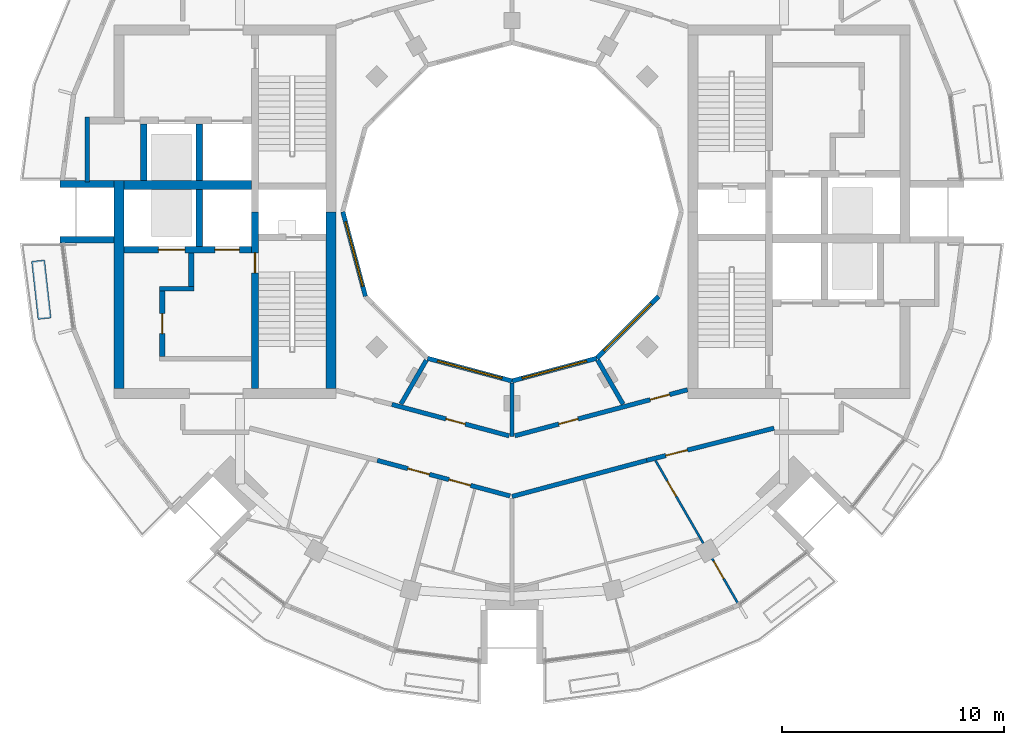
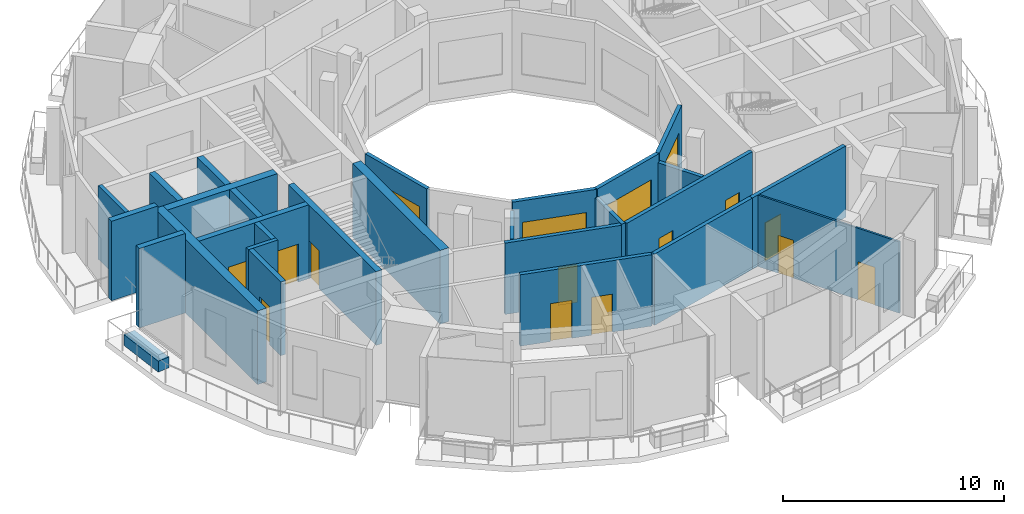
# One storey, part 8 of 15: 28 walls, 12 doors, 4 windows, 16 openings.
"""IFC4 building model written with IfcOpenShell, lengths in metres."""

from ifc_helpers import new_model, si_unit, direction, frame, frame_2d, origin, place, context, subcontext, project, spatial, rectangle, extrude, material, layer, layer_set, type_object, element, fill, save


model = new_model("IFC4")

# Units and contexts
model_context = context("Model", 3, precision=1e-05, world=origin(), true_north=direction((0.0, 1.0)))
body_context = subcontext(model_context, "Body", "Model", "MODEL_VIEW")
ifc_project = project(units=[si_unit("LENGTHUNIT", "METRE"), si_unit("AREAUNIT", "SQUARE_METRE"), si_unit("VOLUMEUNIT", "CUBIC_METRE"), si_unit("PLANEANGLEUNIT", "RADIAN"), si_unit("MASSUNIT", "GRAM", prefix="KILO")], contexts=[model_context])

# Site, building, storey
site_placement = place(None, origin())
site = spatial("IfcSite", under=ifc_project, at=site_placement, CompositionType="ELEMENT")
building_placement = place(site_placement, origin())
building = spatial("IfcBuilding", under=site, at=building_placement, Name="Torre Brocal", CompositionType="ELEMENT")
storey_placement = place(building_placement, frame((0.0, 0.0, 314.89990234375)))
storey = spatial("IfcBuildingStorey", under=building, at=storey_placement, Name="L72", CompositionType="ELEMENT", Elevation=314.89990234375)

# Walls
ifc_material_1 = material(Name="Masonry block", Category="masonry")
ifc_layer_1 = layer(ifc_material_1, 0.199951171875)
ifc_layer_set_1 = layer_set([ifc_layer_1], Name="Masonry block")
wall_type_1 = type_object("IfcWallType", Name="CORE PARTITION 200", PredefinedType="PARTITIONING", material=ifc_layer_set_1)
wall_1_placement = place(storey_placement, frame((60.89990234375, 79.25, 0.0), z_axis=(0.0, 0.0, 1.0), x_axis=(0.0, -1.0, 0.0)))
element("IfcWall", 1, at=wall_1_placement, inside=storey, type_object=wall_type_1, Name="Wall CP200", PredefinedType="PARTITIONING", context=body_context, shape_type="SweptSolid", body=[
    extrude(rectangle(XDim=2.89990234375, YDim=0.199951171875, at=frame_2d((1.449951171875, 0.0))), origin(), (0.0, 0.0, 1.0), 4.080078125),
])
ifc_material_2 = material(Name="Concrete C50", Category="concrete")
ifc_layer_2 = layer(ifc_material_2, 0.199951171875)
ifc_layer_set_2 = layer_set([ifc_layer_2], Name="Concrete C50")
wall_type_2 = type_object("IfcWallType", Name="CORE WALL 200 C50", PredefinedType="SHEAR", material=ifc_layer_set_2)
wall_2_placement = place(storey_placement, frame((65.699951171875, 71.550048828125, 0.0), z_axis=(0.0, 0.0, 1.0), x_axis=(-1.0, 0.0, 0.0)))
element("IfcWall", 2, at=wall_2_placement, inside=storey, type_object=wall_type_2, Name="Wall CW200-50", PredefinedType="SHEAR", context=body_context, shape_type="SweptSolid", body=[
    extrude(rectangle(XDim=1.550048828125, YDim=0.199951171875, at=frame_2d((0.77490234375, 0.0))), origin(), (0.0, 0.0, 1.0), 4.080078125),
])

# Wall, opening, door
ifc_material_3 = material(Name="Concrete C50", Category="concrete")
ifc_layer_3 = layer(ifc_material_3, 0.25)
ifc_layer_set_3 = layer_set([ifc_layer_3], Name="Concrete C50")
wall_type_3 = type_object("IfcWallType", Name="CORE WALL 250 C50", PredefinedType="SHEAR", material=ifc_layer_set_3)
wall_3_placement = place(storey_placement, frame((64.27490234375, 71.449951171875, 0.0), z_axis=(0.0, 0.0, 1.0), x_axis=(0.0, -1.0, 0.0)))
wall_3 = element("IfcWall", 3, at=wall_3_placement, inside=storey, type_object=wall_type_3, Name="Wall CW250-50", PredefinedType="SHEAR", context=body_context, shape_type="SweptSolid", body=[
    extrude(rectangle(XDim=2.949951171875, YDim=0.25, at=frame_2d((1.47509765625, 0.0))), origin(), (0.0, 0.0, 1.0), 4.080078125),
])
opening_1_placement = place(wall_3_placement, frame((1.02490234375, 0.0, 0.0)))
opening_1 = element("IfcOpeningElement", 4, at=opening_1_placement, cuts=wall_3, Name="Opening W-D19", PredefinedType="OPENING", context=body_context, shape_type="SweptSolid", body=[
    extrude(rectangle(XDim=0.89990234375, YDim=2.10009765625, at=frame_2d((0.449951171875, 1.050048828125))), frame((0.0, 0.135009765625, 0.0), z_axis=(0.0, -1.0, 0.0), x_axis=(1.0, 0.0, 0.0)), (0.0, 0.0, 1.0), 0.27001953125),
])
ifc_material_4 = material(Name="Steel A653", Category="steel")
door_type_1 = type_object("IfcDoorType", Name="LOBBY DOOR FD120 900X2100", OperationType="SINGLE_SWING_RIGHT", PredefinedType="DOOR", material=ifc_material_4)
door_1_placement = place(opening_1_placement, origin())
door_1 = element("IfcDoor", 5, at=door_1_placement, inside=storey, type_object=door_type_1, Name="Door W-D19", OperationType="SINGLE_SWING_LEFT", OverallHeight=2.10009765625, OverallWidth=0.89990234375, PredefinedType="DOOR", context=body_context, shape_type="SweptSolid", body=[
    extrude(rectangle(XDim=0.89990234375, YDim=2.10009765625, at=frame_2d((0.449951171875, 1.050048828125))), frame((0.0, 0.02490234375, 0.0), z_axis=(0.0, -1.0, 0.0), x_axis=(1.0, 0.0, 0.0)), (0.0, 0.0, 1.0), 0.050048828125),
])
fill(opening_1, door_1)

# Wall
wall_4_placement = place(storey_placement, frame((65.574951171875, 73.14990234375, 0.0), z_axis=(0.0, 0.0, 1.0), x_axis=(0.0, -1.0, 0.0)))
element("IfcWall", 6, at=wall_4_placement, inside=storey, type_object=wall_type_3, Name="Wall CW250-50", PredefinedType="SHEAR", context=body_context, shape_type="SweptSolid", body=[
    extrude(rectangle(XDim=1.5, YDim=0.25, at=frame_2d((0.75, 0.0))), origin(), (0.0, 0.0, 1.0), 4.080078125),
])

# Wall, opening, door
ifc_material_5 = material(Name="Concrete C50", Category="concrete")
ifc_layer_4 = layer(ifc_material_5, 0.300048828125)
ifc_layer_set_4 = layer_set([ifc_layer_4], Name="Concrete C50")
wall_type_4 = type_object("IfcWallType", Name="CORE WALL 300 C50", PredefinedType="SHEAR", material=ifc_layer_set_4)
wall_5_placement = place(storey_placement, frame((68.449951171875, 75.0, 0.0), z_axis=(0.0, 0.0, 1.0), x_axis=(0.0, -1.0, 0.0)))
wall_5 = element("IfcWall", 7, at=wall_5_placement, inside=storey, type_object=wall_type_4, Name="Wall CW300-50", PredefinedType="SHEAR", context=body_context, shape_type="SweptSolid", body=[
    extrude(rectangle(XDim=7.949951171875, YDim=0.300048828125, at=frame_2d((3.97509765625, 0.0))), origin(), (0.0, 0.0, 1.0), 4.080078125),
])
opening_2_placement = place(wall_5_placement, frame((1.85009765625, 0.0, 0.0)))
opening_2 = element("IfcOpeningElement", 8, at=opening_2_placement, cuts=wall_5, Name="Opening W-D02", PredefinedType="OPENING", context=body_context, shape_type="SweptSolid", body=[
    extrude(rectangle(XDim=0.89990234375, YDim=2.10009765625, at=frame_2d((0.449951171875, 1.050048828125))), frame((0.0, 0.159912109375, 0.0), z_axis=(0.0, -1.0, 0.0), x_axis=(1.0, 0.0, 0.0)), (0.0, 0.0, 1.0), 0.320068359375),
])
ifc_material_6 = material(Name="Steel A653", Category="steel")
door_type_2 = type_object("IfcDoorType", Name="STAIR DOOR FD120 900X2100", OperationType="SINGLE_SWING_RIGHT", PredefinedType="DOOR", material=ifc_material_6)
door_2_placement = place(opening_2_placement, origin())
door_2 = element("IfcDoor", 9, at=door_2_placement, inside=storey, type_object=door_type_2, Name="Door W-D02", OperationType="SINGLE_SWING_LEFT", OverallHeight=2.10009765625, OverallWidth=0.89990234375, PredefinedType="DOOR", context=body_context, shape_type="SweptSolid", body=[
    extrude(rectangle(XDim=0.89990234375, YDim=2.10009765625, at=frame_2d((0.449951171875, 1.050048828125))), frame((0.0, 0.02490234375, 0.0), z_axis=(0.0, -1.0, 0.0), x_axis=(1.0, 0.0, 0.0)), (0.0, 0.0, 1.0), 0.050048828125),
])
fill(opening_2, door_2)

# Wall, openings, doors
wall_6_placement = place(storey_placement, frame((68.300048828125, 73.300048828125, 0.0), z_axis=(0.0, 0.0, 1.0), x_axis=(-1.0, 0.0, 0.0)))
wall_6 = element("IfcWall", 10, at=wall_6_placement, inside=storey, type_object=wall_type_4, Name="Wall CW300-50", PredefinedType="SHEAR", context=body_context, shape_type="SweptSolid", body=[
    extrude(rectangle(XDim=5.75, YDim=0.300048828125, at=frame_2d((2.875, 0.0))), origin(), (0.0, 0.0, 1.0), 4.080078125),
])
opening_3_placement = place(wall_6_placement, frame((0.550048828125, 0.0, 0.0)))
opening_3 = element("IfcOpeningElement", 11, at=opening_3_placement, cuts=wall_6, Name="Opening LD", PredefinedType="OPENING", context=body_context, shape_type="SweptSolid", body=[
    extrude(rectangle(XDim=1.10009765625, YDim=2.10009765625, at=frame_2d((0.550048828125, 1.050048828125))), frame((0.0, 0.159912109375, 0.0), z_axis=(0.0, -1.0, 0.0), x_axis=(1.0, 0.0, 0.0)), (0.0, 0.0, 1.0), 0.320068359375),
])
opening_4_placement = place(wall_6_placement, frame((3.0, 0.0, 0.0)))
opening_4 = element("IfcOpeningElement", 12, at=opening_4_placement, cuts=wall_6, Name="Opening LD12", PredefinedType="OPENING", context=body_context, shape_type="SweptSolid", body=[
    extrude(rectangle(XDim=1.199951171875, YDim=2.10009765625, at=frame_2d((0.60009765625, 1.050048828125))), frame((0.0, 0.159912109375, 0.0), z_axis=(0.0, -1.0, 0.0), x_axis=(1.0, 0.0, 0.0)), (0.0, 0.0, 1.0), 0.320068359375),
])
ifc_material_7 = material(Name="Stainless steel AISI 316", Category="steel")
door_type_3 = type_object("IfcDoorType", Name="LIFT LANDING DOOR 1100X2100", OperationType="DOUBLE_DOOR_SLIDING", PredefinedType="DOOR", material=ifc_material_7)
door_3_placement = place(opening_3_placement, origin())
door_3 = element("IfcDoor", 13, at=door_3_placement, inside=storey, type_object=door_type_3, Name="Door LD", OperationType="DOUBLE_DOOR_SLIDING", OverallHeight=2.10009765625, OverallWidth=1.10009765625, PredefinedType="DOOR", context=body_context, shape_type="SweptSolid", body=[
    extrude(rectangle(XDim=1.10009765625, YDim=2.10009765625, at=frame_2d((0.550048828125, 1.050048828125))), frame((0.0, 0.02490234375, 0.0), z_axis=(0.0, -1.0, 0.0), x_axis=(1.0, 0.0, 0.0)), (0.0, 0.0, 1.0), 0.050048828125),
])
fill(opening_3, door_3)
ifc_material_8 = material(Name="Stainless steel AISI 316", Category="steel")
door_type_4 = type_object("IfcDoorType", Name="LIFT LANDING DOOR 1200X2100", OperationType="DOUBLE_DOOR_SLIDING", PredefinedType="DOOR", material=ifc_material_8)
door_4_placement = place(opening_4_placement, origin())
door_4 = element("IfcDoor", 14, at=door_4_placement, inside=storey, type_object=door_type_4, Name="Door LD12", OperationType="DOUBLE_DOOR_SLIDING", OverallHeight=2.10009765625, OverallWidth=1.199951171875, PredefinedType="DOOR", context=body_context, shape_type="SweptSolid", body=[
    extrude(rectangle(XDim=1.199951171875, YDim=2.10009765625, at=frame_2d((0.60009765625, 1.050048828125))), frame((0.0, 0.02490234375, 0.0), z_axis=(0.0, -1.0, 0.0), x_axis=(1.0, 0.0, 0.0)), (0.0, 0.0, 1.0), 0.050048828125),
])
fill(opening_4, door_4)

# Walls
for number, where, z_axis, x_axis, name in (
    (15, (65.949951171875, 76.0, 0.0), (0.0, 0.0, 1.0), (0.0, -1.0, 0.0), "Wall CW300-50"),
    (16, (65.949951171875, 78.949951171875, 0.0), (0.0, 0.0, 1.0), (0.0, -1.0, 0.0), "Wall CW300-50"),
    (17, (63.449951171875, 78.949951171875, 0.0), (0.0, 0.0, 1.0), (0.0, -1.0, 0.0), "Wall CW300-50"),
):
    element("IfcWall", number, at=place(storey_placement, frame(where, z_axis=z_axis, x_axis=x_axis)), inside=storey, type_object=wall_type_4, Name=name, PredefinedType="SHEAR", context=body_context, shape_type="SweptSolid", body=[
        extrude(rectangle(XDim=2.550048828125, YDim=0.300048828125, at=frame_2d((1.27490234375, 0.0))), origin(), (0.0, 0.0, 1.0), 4.080078125),
    ])
ifc_material_9 = material(Name="Concrete C50", Category="concrete")
ifc_layer_5 = layer(ifc_material_9, 0.39990234375)
ifc_layer_set_5 = layer_set([ifc_layer_5], Name="Concrete C50")
wall_type_5 = type_object("IfcWallType", Name="CORE WALL 400 C50", PredefinedType="SHEAR", material=ifc_layer_set_5)
wall_7_placement = place(storey_placement, frame((68.300048828125, 76.199951171875, 0.0), z_axis=(0.0, 0.0, 1.0), x_axis=(-1.0, 0.0, 0.0)))
element("IfcWall", 18, at=wall_7_placement, inside=storey, type_object=wall_type_5, Name="Wall CW400-50", PredefinedType="SHEAR", context=body_context, shape_type="SweptSolid", body=[
    extrude(rectangle(XDim=5.75, YDim=0.39990234375, at=frame_2d((2.875, 0.0))), origin(), (0.0, 0.0, 1.0), 4.080078125),
])
ifc_material_10 = material(Name="Concrete C50", Category="concrete")
ifc_layer_6 = layer(ifc_material_10, 0.449951171875)
ifc_layer_set_6 = layer_set([ifc_layer_6], Name="Concrete C50")
wall_type_6 = type_object("IfcWallType", Name="CORE WALL 450 C50", PredefinedType="SHEAR", material=ifc_layer_set_6)
wall_8_placement = place(storey_placement, frame((71.875, 75.0, 0.0), z_axis=(0.0, 0.0, 1.0), x_axis=(0.0, -1.0, 0.0)))
element("IfcWall", 19, at=wall_8_placement, inside=storey, type_object=wall_type_6, Name="Wall CW450-50", PredefinedType="SHEAR", context=body_context, shape_type="SweptSolid", body=[
    extrude(rectangle(XDim=7.949951171875, YDim=0.449951171875, at=frame_2d((3.97509765625, 0.0))), origin(), (0.0, 0.0, 1.0), 4.080078125),
])
wall_9_placement = place(storey_placement, frame((62.324951171875, 76.39990234375, 0.0), z_axis=(0.0, 0.0, 1.0), x_axis=(0.0, -1.0, 0.0)))
element("IfcWall", 20, at=wall_9_placement, inside=storey, type_object=wall_type_6, Name="Wall CW450-50", PredefinedType="SHEAR", context=body_context, shape_type="SweptSolid", body=[
    extrude(rectangle(XDim=9.349853515625, YDim=0.449951171875, at=frame_2d((4.6748046875, 0.0))), origin(), (0.0, 0.0, 1.0), 4.080078125),
])
ifc_material_11 = material(Name="Concrete C50", Category="concrete")
ifc_layer_7 = layer(ifc_material_11, 0.300048828125)
ifc_layer_set_7 = layer_set([ifc_layer_7], Name="Concrete C50")
wall_type_7 = type_object("IfcWallType", Name="NOTCH RETURN WALL 300 C50", PredefinedType="NOTDEFINED", material=ifc_layer_set_7)
for number, where, z_axis, x_axis, name in (
    (21, (62.10009765625, 76.25, 0.0), (0.0, 0.0, 1.0), (-1.0, 0.0, 0.0), "NOTCH RETURN WALL"),
    (22, (62.10009765625, 73.75, 0.0), (0.0, 0.0, 1.0), (-1.0, 0.0, 0.0), "NOTCH RETURN WALL"),
):
    element("IfcWall", number, at=place(storey_placement, frame(where, z_axis=z_axis, x_axis=x_axis)), inside=storey, type_object=wall_type_7, Name=name, PredefinedType="NOTDEFINED", context=body_context, shape_type="SweptSolid", body=[
        extrude(rectangle(XDim=2.415771484375, YDim=0.300048828125, at=frame_2d((1.2080078125, 0.0))), origin(), (0.0, 0.0, 1.0), 4.400146484375),
    ])

# Wall, openings, doors
ifc_material_12 = material(Name="Gypsum board", Category="Gypsum")
ifc_layer_8 = layer(ifc_material_12, 0.10009765625)
ifc_layer_set_8 = layer_set([ifc_layer_8], Name="Gypsum board")
wall_type_8 = type_object("IfcWallType", Name="PARTITION 100", PredefinedType="PARTITIONING", material=ifc_layer_set_8)
wall_10_placement = place(storey_placement, frame((86.45263671875, 63.81689453125, 0.0), z_axis=(0.0, 0.0, 1.0), x_axis=(0.499822611913, -0.866127794624, 0.0)))
wall_10 = element("IfcWall", 23, at=wall_10_placement, inside=storey, type_object=wall_type_8, Name="BATHROOM WALL", PredefinedType="PARTITIONING", context=body_context, shape_type="SweptSolid", body=[
    extrude(rectangle(XDim=7.385498046875, YDim=0.10009765625, at=frame_2d((3.69287109375, 0.0))), origin(), (0.0, 0.0, 1.0), 3.9501953125),
])
opening_5_placement = place(wall_10_placement, frame((5.22021484375, 0.0, 0.0)))
opening_5 = element("IfcOpeningElement", 24, at=opening_5_placement, cuts=wall_10, Name="Opening N05-D19", PredefinedType="OPENING", context=body_context, shape_type="SweptSolid", body=[
    extrude(rectangle(XDim=0.89990234375, YDim=2.10009765625, at=frame_2d((0.449951171875, 1.050048828125))), frame((0.0, 0.06005859375, 0.0), z_axis=(0.0, -1.0, 0.0), x_axis=(1.0, 0.0, 0.0)), (0.0, 0.0, 1.0), 0.1201171875),
])
opening_6_placement = place(wall_10_placement, frame((1.049560546875, 0.0, 0.0)))
opening_6 = element("IfcOpeningElement", 25, at=opening_6_placement, cuts=wall_10, Name="Opening N05-D20", PredefinedType="OPENING", context=body_context, shape_type="SweptSolid", body=[
    extrude(rectangle(XDim=0.800048828125, YDim=2.10009765625, at=frame_2d((0.39990234375, 1.050048828125))), frame((0.0, 0.06005859375, 0.0), z_axis=(0.0, -1.0, 0.0), x_axis=(1.0, 0.0, 0.0)), (0.0, 0.0, 1.0), 0.1201171875),
])
ifc_material_13 = material(Name="Timber", Category="wood")
door_type_5 = type_object("IfcDoorType", Name="BATHROOM DOOR 800X2100", OperationType="SINGLE_SWING_LEFT", PredefinedType="DOOR", material=ifc_material_13)
door_5_placement = place(opening_6_placement, frame((0.800048828125, 0.0, 0.0), z_axis=(0.0, 0.0, 1.0), x_axis=(-1.0, 0.0, 0.0)))
door_5 = element("IfcDoor", 26, at=door_5_placement, inside=storey, type_object=door_type_5, Name="N05-D20", OperationType="SINGLE_SWING_RIGHT", OverallHeight=2.10009765625, OverallWidth=0.800048828125, PredefinedType="DOOR", context=body_context, shape_type="SweptSolid", body=[
    extrude(rectangle(XDim=0.800048828125, YDim=2.10009765625, at=frame_2d((0.39990234375, 1.050048828125))), frame((0.0, 0.02490234375, 0.0), z_axis=(0.0, -1.0, 0.0), x_axis=(1.0, 0.0, 0.0)), (0.0, 0.0, 1.0), 0.050048828125),
])
fill(opening_6, door_5)
ifc_material_14 = material(Name="Timber", Category="wood")
door_type_6 = type_object("IfcDoorType", Name="ROOM DOOR 900X2100", OperationType="SINGLE_SWING_LEFT", PredefinedType="DOOR", material=ifc_material_14)
door_6_placement = place(opening_5_placement, frame((0.89990234375, 0.0, 0.0), z_axis=(0.0, 0.0, 1.0), x_axis=(-1.0, 0.0, 0.0)))
door_6 = element("IfcDoor", 27, at=door_6_placement, inside=storey, type_object=door_type_6, Name="N05-D19", OperationType="SINGLE_SWING_RIGHT", OverallHeight=2.10009765625, OverallWidth=0.89990234375, PredefinedType="DOOR", context=body_context, shape_type="SweptSolid", body=[
    extrude(rectangle(XDim=0.89990234375, YDim=2.10009765625, at=frame_2d((0.449951171875, 1.050048828125))), frame((0.0, 0.02490234375, 0.0), z_axis=(0.0, -1.0, 0.0), x_axis=(1.0, 0.0, 0.0)), (0.0, 0.0, 1.0), 0.050048828125),
])
fill(opening_5, door_6)

ifc_material_15 = material(Name="Gypsum board", Category="Gypsum")
ifc_layer_9 = layer(ifc_material_15, 0.199951171875)
ifc_layer_set_9 = layer_set([ifc_layer_9], Name="Gypsum board")
wall_type_9 = type_object("IfcWallType", Name="PARTITION 200 EI60", PredefinedType="PARTITIONING", material=ifc_layer_set_9)
wall_11_placement = place(storey_placement, frame((73.947021484375, 63.826171875, 0.0), z_axis=(0.0, 0.0, 1.0), x_axis=(0.965894934009, -0.25893430915, 0.0)))
wall_11 = element("IfcWall", 28, at=wall_11_placement, inside=storey, type_object=wall_type_9, Name="FLAT ENTRANCE WALL", PredefinedType="PARTITIONING", context=body_context, shape_type="SweptSolid", body=[
    extrude(rectangle(XDim=6.1767578125, YDim=0.199951171875, at=frame_2d((3.08837890625, 0.0))), origin(), (0.0, 0.0, 1.0), 3.9501953125),
])
opening_7_placement = place(wall_11_placement, frame((3.336181640625, 0.0, 0.0)))
opening_7 = element("IfcOpeningElement", 29, at=opening_7_placement, cuts=wall_11, Name="Opening N05-D25", PredefinedType="OPENING", context=body_context, shape_type="SweptSolid", body=[
    extrude(rectangle(XDim=1.0, YDim=2.10009765625, at=frame_2d((0.5, 1.050048828125))), frame((0.0, 0.10986328125, 0.0), z_axis=(0.0, -1.0, 0.0), x_axis=(1.0, 0.0, 0.0)), (0.0, 0.0, 1.0), 0.219970703125),
])
opening_8_placement = place(wall_11_placement, frame((1.42431640625, 0.0, 0.0)))
opening_8 = element("IfcOpeningElement", 30, at=opening_8_placement, cuts=wall_11, Name="Opening N05-D27", PredefinedType="OPENING", context=body_context, shape_type="SweptSolid", body=[
    extrude(rectangle(XDim=1.0, YDim=2.10009765625, at=frame_2d((0.5, 1.050048828125))), frame((0.0, 0.10986328125, 0.0), z_axis=(0.0, -1.0, 0.0), x_axis=(1.0, 0.0, 0.0)), (0.0, 0.0, 1.0), 0.219970703125),
])
ifc_material_16 = material(Name="Timber", Category="wood")
door_type_7 = type_object("IfcDoorType", Name="FLAT ENTRY DOOR FD30S 1000X2100", OperationType="SINGLE_SWING_RIGHT", PredefinedType="DOOR", material=ifc_material_16)
door_7_placement = place(opening_7_placement, frame((1.0, 0.0, 0.0), z_axis=(0.0, 0.0, 1.0), x_axis=(-1.0, 0.0, 0.0)))
door_7 = element("IfcDoor", 31, at=door_7_placement, inside=storey, type_object=door_type_7, Name="N05-D25", OperationType="SINGLE_SWING_LEFT", OverallHeight=2.10009765625, OverallWidth=1.0, PredefinedType="DOOR", context=body_context, shape_type="SweptSolid", body=[
    extrude(rectangle(XDim=1.0, YDim=2.10009765625, at=frame_2d((0.5, 1.050048828125))), frame((0.0, 0.02490234375, 0.0), z_axis=(0.0, -1.0, 0.0), x_axis=(1.0, 0.0, 0.0)), (0.0, 0.0, 1.0), 0.050048828125),
])
fill(opening_7, door_7)
door_8_placement = place(opening_8_placement, frame((1.0, 0.0, 0.0), z_axis=(0.0, 0.0, 1.0), x_axis=(-1.0, 0.0, 0.0)))
door_8 = element("IfcDoor", 32, at=door_8_placement, inside=storey, type_object=door_type_7, Name="N05-D27", OperationType="SINGLE_SWING_LEFT", OverallHeight=2.10009765625, OverallWidth=1.0, PredefinedType="DOOR", context=body_context, shape_type="SweptSolid", body=[
    extrude(rectangle(XDim=1.0, YDim=2.10009765625, at=frame_2d((0.5, 1.050048828125))), frame((0.0, 0.02490234375, 0.0), z_axis=(0.0, -1.0, 0.0), x_axis=(1.0, 0.0, 0.0)), (0.0, 0.0, 1.0), 0.050048828125),
])
fill(opening_8, door_8)

# Wall, opening, door
wall_12_placement = place(storey_placement, frame((74.60302734375, 66.342041015625, 0.0), z_axis=(0.0, 0.0, 1.0), x_axis=(0.965920893652, -0.258837453254, 0.0)))
wall_12 = element("IfcWall", 33, at=wall_12_placement, inside=storey, type_object=wall_type_9, Name="CORRIDOR WALL", PredefinedType="PARTITIONING", context=body_context, shape_type="SweptSolid", body=[
    extrude(rectangle(XDim=5.45751953125, YDim=0.199951171875, at=frame_2d((2.728759765625, 0.0))), origin(), (0.0, 0.0, 1.0), 3.9501953125),
])
opening_9_placement = place(wall_12_placement, frame((2.512451171875, 0.0, 0.0)))
opening_9 = element("IfcOpeningElement", 34, at=opening_9_placement, cuts=wall_12, Name="Opening N05-D33", PredefinedType="OPENING", context=body_context, shape_type="SweptSolid", body=[
    extrude(rectangle(XDim=0.89990234375, YDim=2.10009765625, at=frame_2d((0.449951171875, 1.050048828125))), frame((0.0, 0.10986328125, 0.0), z_axis=(0.0, -1.0, 0.0), x_axis=(1.0, 0.0, 0.0)), (0.0, 0.0, 1.0), 0.219970703125),
])
door_9_placement = place(opening_9_placement, origin())
door_9 = element("IfcDoor", 35, at=door_9_placement, inside=storey, type_object=door_type_6, Name="N05-D33", OperationType="SINGLE_SWING_LEFT", OverallHeight=2.10009765625, OverallWidth=0.89990234375, PredefinedType="DOOR", context=body_context, shape_type="SweptSolid", body=[
    extrude(rectangle(XDim=0.89990234375, YDim=2.10009765625, at=frame_2d((0.449951171875, 1.050048828125))), frame((0.0, 0.02490234375, 0.0), z_axis=(0.0, -1.0, 0.0), x_axis=(1.0, 0.0, 0.0)), (0.0, 0.0, 1.0), 0.050048828125),
])
fill(opening_9, door_9)

# Wall
wall_13_placement = place(storey_placement, frame((75.011962890625, 66.36328125, 0.0), z_axis=(0.0, 0.0, 1.0), x_axis=(0.500143511652, 0.865942531438, 0.0)))
element("IfcWall", 36, at=wall_13_placement, inside=storey, type_object=wall_type_9, Name="PARTY PARTITION", PredefinedType="PARTITIONING", context=body_context, shape_type="SweptSolid", body=[
    extrude(rectangle(XDim=2.275146484375, YDim=0.199951171875, at=frame_2d((1.1376953125, 0.0))), origin(), (0.0, 0.0, 1.0), 3.9501953125),
])

# Wall, openings, doors
wall_14_placement = place(storey_placement, frame((80.125, 64.931640625, 0.0), z_axis=(0.0, 0.0, 1.0), x_axis=(0.966236955806, 0.257655089674, 0.0)))
wall_14 = element("IfcWall", 37, at=wall_14_placement, inside=storey, type_object=wall_type_9, Name="CORRIDOR WALL", PredefinedType="PARTITIONING", context=body_context, shape_type="SweptSolid", body=[
    extrude(rectangle(XDim=8.0390625, YDim=0.199951171875, at=frame_2d((4.01953125, 0.0))), origin(), (0.0, 0.0, 1.0), 3.9501953125),
])
opening_10_placement = place(wall_14_placement, frame((6.298095703125, 0.0, 0.0)))
opening_10 = element("IfcOpeningElement", 38, at=opening_10_placement, cuts=wall_14, Name="Opening N05-D31", PredefinedType="OPENING", context=body_context, shape_type="SweptSolid", body=[
    extrude(rectangle(XDim=0.89990234375, YDim=2.10009765625, at=frame_2d((0.449951171875, 1.050048828125))), frame((0.0, 0.10986328125, 0.0), z_axis=(0.0, -1.0, 0.0), x_axis=(1.0, 0.0, 0.0)), (0.0, 0.0, 1.0), 0.219970703125),
])
opening_11_placement = place(wall_14_placement, frame((2.044921875, 0.0, 0.0)))
opening_11 = element("IfcOpeningElement", 39, at=opening_11_placement, cuts=wall_14, Name="Opening N05-D32", PredefinedType="OPENING", context=body_context, shape_type="SweptSolid", body=[
    extrude(rectangle(XDim=0.89990234375, YDim=2.10009765625, at=frame_2d((0.449951171875, 1.050048828125))), frame((0.0, 0.10986328125, 0.0), z_axis=(0.0, -1.0, 0.0), x_axis=(1.0, 0.0, 0.0)), (0.0, 0.0, 1.0), 0.219970703125),
])
door_10_placement = place(opening_10_placement, origin())
door_10 = element("IfcDoor", 40, at=door_10_placement, inside=storey, type_object=door_type_6, Name="N05-D31", OperationType="SINGLE_SWING_RIGHT", OverallHeight=2.10009765625, OverallWidth=0.89990234375, PredefinedType="DOOR", context=body_context, shape_type="SweptSolid", body=[
    extrude(rectangle(XDim=0.89990234375, YDim=2.10009765625, at=frame_2d((0.449951171875, 1.050048828125))), frame((0.0, 0.02490234375, 0.0), z_axis=(0.0, -1.0, 0.0), x_axis=(1.0, 0.0, 0.0)), (0.0, 0.0, 1.0), 0.050048828125),
])
fill(opening_10, door_10)
door_11_placement = place(opening_11_placement, origin())
door_11 = element("IfcDoor", 41, at=door_11_placement, inside=storey, type_object=door_type_6, Name="N05-D32", OperationType="SINGLE_SWING_RIGHT", OverallHeight=2.10009765625, OverallWidth=0.89990234375, PredefinedType="DOOR", context=body_context, shape_type="SweptSolid", body=[
    extrude(rectangle(XDim=0.89990234375, YDim=2.10009765625, at=frame_2d((0.449951171875, 1.050048828125))), frame((0.0, 0.02490234375, 0.0), z_axis=(0.0, -1.0, 0.0), x_axis=(1.0, 0.0, 0.0)), (0.0, 0.0, 1.0), 0.050048828125),
])
fill(opening_11, door_11)

# Walls
wall_15_placement = place(storey_placement, frame((80.0, 62.2041015625, 0.0), z_axis=(0.0, 0.0, 1.0), x_axis=(0.965938139786, 0.258773086132, 0.0)))
element("IfcWall", 42, at=wall_15_placement, inside=storey, type_object=wall_type_9, Name="GUESTROOM CORRIDOR WALL", PredefinedType="PARTITIONING", context=body_context, shape_type="SweptSolid", body=[
    extrude(rectangle(XDim=6.266357421875, YDim=0.199951171875, at=frame_2d((3.13330078125, 0.0))), origin(), (0.0, 0.0, 1.0), 3.9501953125),
])
wall_16_placement = place(storey_placement, frame((80.0, 64.89599609375, 0.0), z_axis=(0.0, 0.0, 1.0), x_axis=(0.0, 1.0, 0.0)))
element("IfcWall", 43, at=wall_16_placement, inside=storey, type_object=wall_type_9, Name="PARTY PARTITION", PredefinedType="PARTITIONING", context=body_context, shape_type="SweptSolid", body=[
    extrude(rectangle(XDim=2.405029296875, YDim=0.199951171875, at=frame_2d((1.20263671875, 0.0))), origin(), (0.0, 0.0, 1.0), 3.9501953125),
])
wall_17_placement = place(storey_placement, frame((83.849609375, 68.333251953125, 0.0), z_axis=(0.0, 0.0, 1.0), x_axis=(0.500080019051, -0.865979199835, 0.0)))
element("IfcWall", 44, at=wall_17_placement, inside=storey, type_object=wall_type_9, Name="PARTY PARTITION", PredefinedType="PARTITIONING", context=body_context, shape_type="SweptSolid", body=[
    extrude(rectangle(XDim=2.285400390625, YDim=0.199951171875, at=frame_2d((1.142578125, 0.0))), origin(), (0.0, 0.0, 1.0), 3.9501953125),
])

# Wall, opening, door
wall_18_placement = place(storey_placement, frame((86.052978515625, 63.826171875, 0.0), z_axis=(0.0, 0.0, 1.0), x_axis=(0.969480070232, 0.245170131586, 0.0)))
wall_18 = element("IfcWall", 45, at=wall_18_placement, inside=storey, type_object=wall_type_9, Name="FLAT ENTRANCE WALL", PredefinedType="PARTITIONING", context=body_context, shape_type="SweptSolid", body=[
    extrude(rectangle(XDim=5.906982421875, YDim=0.199951171875, at=frame_2d((2.95361328125, 0.0))), origin(), (0.0, 0.0, 1.0), 3.9501953125),
])
opening_12_placement = place(wall_18_placement, frame((0.889404296875, 0.0, 0.0)))
opening_12 = element("IfcOpeningElement", 46, at=opening_12_placement, cuts=wall_18, Name="Opening N05-D18", PredefinedType="OPENING", context=body_context, shape_type="SweptSolid", body=[
    extrude(rectangle(XDim=1.0, YDim=2.10009765625, at=frame_2d((0.5, 1.050048828125))), frame((0.0, 0.10986328125, 0.0), z_axis=(0.0, -1.0, 0.0), x_axis=(1.0, 0.0, 0.0)), (0.0, 0.0, 1.0), 0.219970703125),
])
door_12_placement = place(opening_12_placement, frame((1.0, 0.0, 0.0), z_axis=(0.0, 0.0, 1.0), x_axis=(-1.0, 0.0, 0.0)))
door_12 = element("IfcDoor", 47, at=door_12_placement, inside=storey, type_object=door_type_7, Name="N05-D18", OperationType="SINGLE_SWING_RIGHT", OverallHeight=2.10009765625, OverallWidth=1.0, PredefinedType="DOOR", context=body_context, shape_type="SweptSolid", body=[
    extrude(rectangle(XDim=1.0, YDim=2.10009765625, at=frame_2d((0.5, 1.050048828125))), frame((0.0, 0.02490234375, 0.0), z_axis=(0.0, -1.0, 0.0), x_axis=(1.0, 0.0, 0.0)), (0.0, 0.0, 1.0), 0.050048828125),
])
fill(opening_12, door_12)

# Wall
ifc_material_17 = material(Name="Concrete C35", Category="concrete")
ifc_layer_10 = layer(ifc_material_17, 0.60009765625)
ifc_layer_set_10 = layer_set([ifc_layer_10], Name="Concrete C35")
wall_type_10 = type_object("IfcWallType", Name="PLANTER WALL 600 THICK 600 HIGH 12", PredefinedType="USERDEFINED", material=ifc_layer_set_10)
wall_19_placement = place(storey_placement, frame((58.6982421875, 72.806884765625, 0.0), z_axis=(0.0, 0.0, 1.0), x_axis=(0.1110526499, -0.993814524421, 0.0)))
element("IfcWall", 48, at=wall_19_placement, inside=storey, type_object=wall_type_10, Name="PLANTER", ObjectType="PLANTER", PredefinedType="USERDEFINED", context=body_context, shape_type="SweptSolid", body=[
    extrude(rectangle(XDim=2.631591796875, YDim=0.60009765625, at=frame_2d((1.31591796875, 0.0))), origin(), (0.0, 0.0, 1.0), 0.60009765625),
])

# Wall, opening, window
ifc_material_18 = material(Name="Concrete C40", Category="concrete")
ifc_layer_11 = layer(ifc_material_18, 0.199951171875)
ifc_layer_set_11 = layer_set([ifc_layer_11], Name="Concrete C40")
wall_type_11 = type_object("IfcWallType", Name="WELL FACADE WALL 200", PredefinedType="NOTDEFINED", material=ifc_layer_set_11)
wall_20_placement = place(storey_placement, frame((72.396484375, 75.0, 0.0), z_axis=(0.0, 0.0, 1.0), x_axis=(0.258789828301, -0.965933654434, 0.0)))
wall_20 = element("IfcWall", 49, at=wall_20_placement, inside=storey, type_object=wall_type_11, Name="WELL FACADE WALL", PredefinedType="NOTDEFINED", context=body_context, shape_type="SweptSolid", body=[
    extrude(rectangle(XDim=3.935791015625, YDim=0.199951171875, at=frame_2d((1.9677734375, 0.0))), origin(), (0.0, 0.0, 1.0), 4.400146484375),
])
opening_13_placement = place(wall_20_placement, frame((0.468017578125, 0.0, 0.89990234375)))
opening_13 = element("IfcOpeningElement", 50, at=opening_13_placement, cuts=wall_20, Name="Opening W1", PredefinedType="OPENING", context=body_context, shape_type="SweptSolid", body=[
    extrude(rectangle(XDim=3.0, YDim=2.300048828125, at=frame_2d((1.5, 1.14990234375))), frame((0.0, 0.10986328125, 0.0), z_axis=(0.0, -1.0, 0.0), x_axis=(1.0, 0.0, 0.0)), (0.0, 0.0, 1.0), 0.219970703125),
])
ifc_material_19 = material(Name="Aluminium and glass", Category="aluminium")
window_type = type_object("IfcWindowType", Name="WELL WINDOW 3000X2300", PartitioningType="SINGLE_PANEL", PredefinedType="WINDOW", material=ifc_material_19)
window_1_placement = place(opening_13_placement, origin())
window_1 = element("IfcWindow", 51, at=window_1_placement, inside=storey, type_object=window_type, Name="WELL WINDOW 3000X2300", OverallHeight=2.300048828125, OverallWidth=3.0, PartitioningType="SINGLE_PANEL", PredefinedType="WINDOW", context=body_context, shape_type="SweptSolid", body=[
    extrude(rectangle(XDim=3.0, YDim=2.300048828125, at=frame_2d((1.5, 1.14990234375))), frame((0.0, 0.030029296875, 0.0), z_axis=(0.0, -1.0, 0.0), x_axis=(1.0, 0.0, 0.0)), (0.0, 0.0, 1.0), 0.06005859375),
])
fill(opening_13, window_1)

wall_21_placement = place(storey_placement, frame((76.1982421875, 68.4150390625, 0.0), z_axis=(0.0, 0.0, 1.0), x_axis=(0.965933654434, -0.258789828301, 0.0)))
wall_21 = element("IfcWall", 52, at=wall_21_placement, inside=storey, type_object=wall_type_11, Name="WELL FACADE WALL", PredefinedType="NOTDEFINED", context=body_context, shape_type="SweptSolid", body=[
    extrude(rectangle(XDim=3.935791015625, YDim=0.199951171875, at=frame_2d((1.9677734375, 0.0))), origin(), (0.0, 0.0, 1.0), 4.400146484375),
])
opening_14_placement = place(wall_21_placement, frame((0.468017578125, 0.0, 0.89990234375)))
opening_14 = element("IfcOpeningElement", 53, at=opening_14_placement, cuts=wall_21, Name="Opening W1", PredefinedType="OPENING", context=body_context, shape_type="SweptSolid", body=[
    extrude(rectangle(XDim=3.0, YDim=2.300048828125, at=frame_2d((1.5, 1.14990234375))), frame((0.0, 0.10986328125, 0.0), z_axis=(0.0, -1.0, 0.0), x_axis=(1.0, 0.0, 0.0)), (0.0, 0.0, 1.0), 0.219970703125),
])
window_2_placement = place(opening_14_placement, origin())
window_2 = element("IfcWindow", 54, at=window_2_placement, inside=storey, type_object=window_type, Name="WELL WINDOW 3000X2300", OverallHeight=2.300048828125, OverallWidth=3.0, PartitioningType="SINGLE_PANEL", PredefinedType="WINDOW", context=body_context, shape_type="SweptSolid", body=[
    extrude(rectangle(XDim=3.0, YDim=2.300048828125, at=frame_2d((1.5, 1.14990234375))), frame((0.0, 0.030029296875, 0.0), z_axis=(0.0, -1.0, 0.0), x_axis=(1.0, 0.0, 0.0)), (0.0, 0.0, 1.0), 0.06005859375),
])
fill(opening_14, window_2)

wall_22_placement = place(storey_placement, frame((80.0, 67.396484375, 0.0), z_axis=(0.0, 0.0, 1.0), x_axis=(0.965933654434, 0.258789828301, 0.0)))
wall_22 = element("IfcWall", 55, at=wall_22_placement, inside=storey, type_object=wall_type_11, Name="WELL FACADE WALL", PredefinedType="NOTDEFINED", context=body_context, shape_type="SweptSolid", body=[
    extrude(rectangle(XDim=3.935791015625, YDim=0.199951171875, at=frame_2d((1.9677734375, 0.0))), origin(), (0.0, 0.0, 1.0), 4.400146484375),
])
opening_15_placement = place(wall_22_placement, frame((0.468017578125, 0.0, 0.89990234375)))
opening_15 = element("IfcOpeningElement", 56, at=opening_15_placement, cuts=wall_22, Name="Opening W1", PredefinedType="OPENING", context=body_context, shape_type="SweptSolid", body=[
    extrude(rectangle(XDim=3.0, YDim=2.300048828125, at=frame_2d((1.5, 1.14990234375))), frame((0.0, 0.10986328125, 0.0), z_axis=(0.0, -1.0, 0.0), x_axis=(1.0, 0.0, 0.0)), (0.0, 0.0, 1.0), 0.219970703125),
])
window_3_placement = place(opening_15_placement, origin())
window_3 = element("IfcWindow", 57, at=window_3_placement, inside=storey, type_object=window_type, Name="WELL WINDOW 3000X2300", OverallHeight=2.300048828125, OverallWidth=3.0, PartitioningType="SINGLE_PANEL", PredefinedType="WINDOW", context=body_context, shape_type="SweptSolid", body=[
    extrude(rectangle(XDim=3.0, YDim=2.300048828125, at=frame_2d((1.5, 1.14990234375))), frame((0.0, 0.030029296875, 0.0), z_axis=(0.0, -1.0, 0.0), x_axis=(1.0, 0.0, 0.0)), (0.0, 0.0, 1.0), 0.06005859375),
])
fill(opening_15, window_3)

wall_23_placement = place(storey_placement, frame((83.8017578125, 68.4150390625, 0.0), z_axis=(0.0, 0.0, 1.0), x_axis=(0.707106781187, 0.707106781187, 0.0)))
wall_23 = element("IfcWall", 58, at=wall_23_placement, inside=storey, type_object=wall_type_11, Name="WELL FACADE WALL", PredefinedType="NOTDEFINED", context=body_context, shape_type="SweptSolid", body=[
    extrude(rectangle(XDim=3.93603515625, YDim=0.199951171875, at=frame_2d((1.968017578125, 0.0))), origin(), (0.0, 0.0, 1.0), 4.400146484375),
])
opening_16_placement = place(wall_23_placement, frame((0.468017578125, 0.0, 0.89990234375)))
opening_16 = element("IfcOpeningElement", 59, at=opening_16_placement, cuts=wall_23, Name="Opening W1", PredefinedType="OPENING", context=body_context, shape_type="SweptSolid", body=[
    extrude(rectangle(XDim=3.0, YDim=2.300048828125, at=frame_2d((1.5, 1.14990234375))), frame((0.0, 0.10986328125, 0.0), z_axis=(0.0, -1.0, 0.0), x_axis=(1.0, 0.0, 0.0)), (0.0, 0.0, 1.0), 0.219970703125),
])
window_4_placement = place(opening_16_placement, origin())
window_4 = element("IfcWindow", 60, at=window_4_placement, inside=storey, type_object=window_type, Name="WELL WINDOW 3000X2300", OverallHeight=2.300048828125, OverallWidth=3.0, PartitioningType="SINGLE_PANEL", PredefinedType="WINDOW", context=body_context, shape_type="SweptSolid", body=[
    extrude(rectangle(XDim=3.0, YDim=2.300048828125, at=frame_2d((1.5, 1.14990234375))), frame((0.0, 0.030029296875, 0.0), z_axis=(0.0, -1.0, 0.0), x_axis=(1.0, 0.0, 0.0)), (0.0, 0.0, 1.0), 0.06005859375),
])
fill(opening_16, window_4)

save(model, "model.ifc")
